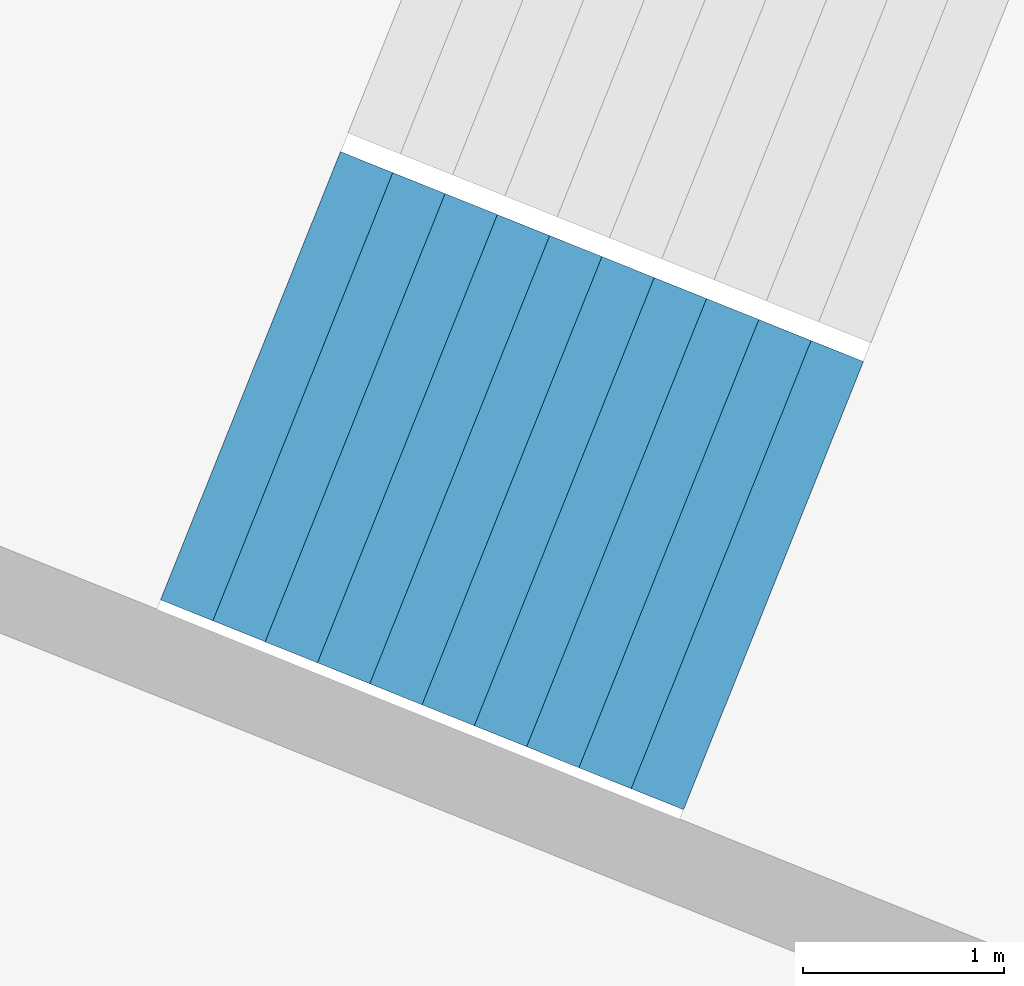
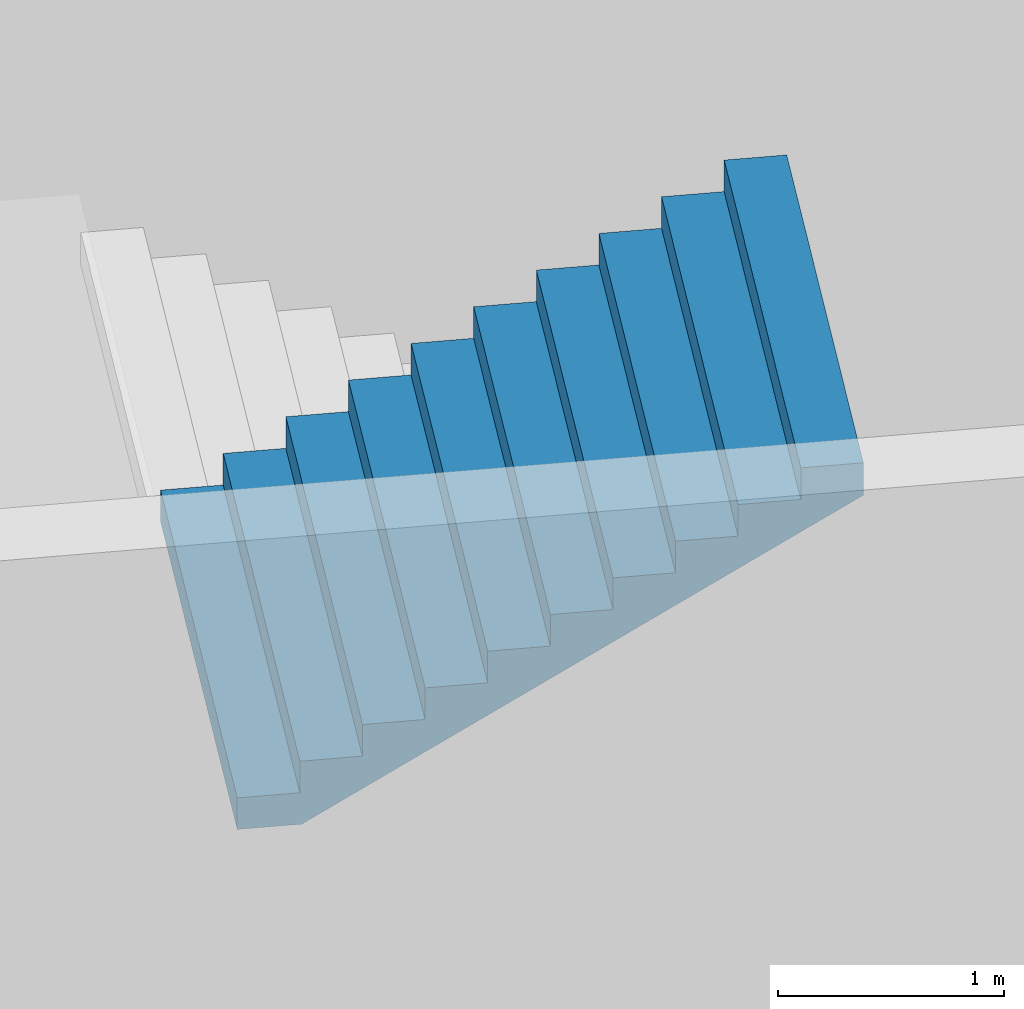
# One storey, part 34 of 73: 1 stair flight, 1 element without a shape of its own.
"""IFC4 building model written with IfcOpenShell, lengths in metres."""

from ifc_helpers import new_model, si_unit, direction, frame, origin, place, context, subcontext, project, spatial, triangles, material, type_object, element, aggregate, save


model = new_model("IFC4")

# Units and contexts
model_context = context("Model", 3, precision=1e-05, world=origin(), true_north=direction((0.0, 1.0)))
body_context = subcontext(model_context, "Body", "Model", "MODEL_VIEW")
ifc_project = project(units=[si_unit("LENGTHUNIT", "METRE"), si_unit("AREAUNIT", "SQUARE_METRE"), si_unit("VOLUMEUNIT", "CUBIC_METRE"), si_unit("PLANEANGLEUNIT", "RADIAN"), si_unit("MASSUNIT", "GRAM", prefix="KILO")], contexts=[model_context])

# Site, building, storey
site_placement = place(None, origin())
site = spatial("IfcSite", under=ifc_project, at=site_placement, CompositionType="ELEMENT")
building_placement = place(site_placement, origin())
building = spatial("IfcBuilding", under=site, at=building_placement, Name="Lantaw Convention Tower", CompositionType="ELEMENT")
storey_placement = place(building_placement, frame((0.0, 0.0, 14.5)))
storey = spatial("IfcBuildingStorey", under=building, at=storey_placement, Name="L02", CompositionType="ELEMENT", Elevation=14.5)

# Stair, stair flight
ifc_material = material(Name="Concrete C35/45", Category="concrete")
stair_type = type_object("IfcStairType", Name="Exit stair 2400 riser 170.45 in 4 flights", PredefinedType="HALF_TURN_STAIR", material=ifc_material)
stair_placement = place(storey_placement, origin())
stair = element("IfcStair", 1, at=stair_placement, inside=storey, type_object=stair_type, Name="Podium exit stair P8 L02", PredefinedType="HALF_TURN_STAIR")
stair_flight_type = type_object("IfcStairFlightType", Name="Stair flight 2400 riser 170.45", PredefinedType="STRAIGHT", material=ifc_material)
stair_flight_placement = place(storey_placement, frame((-39.329345703125, 14.44140625, 5.625), z_axis=(0.0, 0.0, 1.0), x_axis=(0.928015168305, -0.372542410198, 0.0)))
stair_flight = element("IfcStairFlight", 2, at=stair_flight_placement, type_object=stair_flight_type, Name="P8 flight 4", NumberOfRisers=11, NumberOfTreads=10, PredefinedType="STRAIGHT", RiserHeight=0.170454545, TreadLength=0.28, context=body_context, shape_type="Tessellation", body=[
    triangles([(0.0, 1.199951171875, 0.0), (0.0, 1.199951171875, 0.170454545), (0.28, 1.199951171875, 0.0), (0.28, 1.199951171875, 0.170454545), (0.28, 1.199951171875, 0.34090909), (0.28827876332691904, 1.199951171875, 0.0), (0.28827876332691904, 1.199951171875, 0.34090909), (0.56, 1.199951171875, 0.16541471344266906), (0.56, 1.199951171875, 0.34090909), (0.56, 1.199951171875, 0.511363635), (0.8400000000000001, 1.199951171875, 0.335869258442669), (0.8400000000000001, 1.199951171875, 0.511363635), (0.8400000000000001, 1.199951171875, 0.68181818), (1.12, 1.199951171875, 0.506323803442669), (1.12, 1.199951171875, 0.68181818), (1.12, 1.199951171875, 0.8522727250000001), (1.4000000000000001, 1.199951171875, 0.676778348442669), (1.4000000000000001, 1.199951171875, 0.8522727250000001), (1.4000000000000001, 1.199951171875, 1.02272727), (1.6800000000000002, 1.199951171875, 0.847232893442669), (1.6800000000000002, 1.199951171875, 1.02272727), (1.6800000000000002, 1.199951171875, 1.193181815), (1.9600000000000002, 1.199951171875, 1.017687438442669), (1.9600000000000002, 1.199951171875, 1.193181815), (1.9600000000000002, 1.199951171875, 1.36363636), (2.24, 1.199951171875, 1.188141983442669), (2.24, 1.199951171875, 1.36363636), (2.24, 1.199951171875, 1.5340909050000002), (2.5200000000000005, 1.199951171875, 1.358596528442669), (2.5200000000000005, 1.199951171875, 1.5340909050000002), (2.5200000000000005, 1.199951171875, 1.7045454500000001), (2.8000000000000003, 1.199951171875, 1.529051073442669), (2.8000000000000003, 1.199951171875, 1.7045454500000001), (0.0, -1.199951171875, 0.0), (0.0, -1.199951171875, 0.170454545), (0.28, -1.199951171875, 0.0), (0.28, -1.199951171875, 0.170454545), (0.28, -1.199951171875, 0.34090909), (0.28827876332691904, -1.199951171875, 0.0), (0.28827876332691904, -1.199951171875, 0.34090909), (0.56, -1.199951171875, 0.16541471344266906), (0.56, -1.199951171875, 0.34090909), (0.56, -1.199951171875, 0.511363635), (0.8400000000000001, -1.199951171875, 0.335869258442669), (0.8400000000000001, -1.199951171875, 0.511363635), (0.8400000000000001, -1.199951171875, 0.68181818), (1.12, -1.199951171875, 0.506323803442669), (1.12, -1.199951171875, 0.68181818), (1.12, -1.199951171875, 0.8522727250000001), (1.4000000000000001, -1.199951171875, 0.676778348442669), (1.4000000000000001, -1.199951171875, 0.8522727250000001), (1.4000000000000001, -1.199951171875, 1.02272727), (1.6800000000000002, -1.199951171875, 0.847232893442669), (1.6800000000000002, -1.199951171875, 1.02272727), (1.6800000000000002, -1.199951171875, 1.193181815), (1.9600000000000002, -1.199951171875, 1.017687438442669), (1.9600000000000002, -1.199951171875, 1.193181815), (1.9600000000000002, -1.199951171875, 1.36363636), (2.24, -1.199951171875, 1.188141983442669), (2.24, -1.199951171875, 1.36363636), (2.24, -1.199951171875, 1.5340909050000002), (2.5200000000000005, -1.199951171875, 1.358596528442669), (2.5200000000000005, -1.199951171875, 1.5340909050000002), (2.5200000000000005, -1.199951171875, 1.7045454500000001), (2.8000000000000003, -1.199951171875, 1.529051073442669), (2.8000000000000003, -1.199951171875, 1.7045454500000001), (0.0, 0.239990234375, 0.170454545), (0.0, 0.239990234375, 0.0), (0.0, 0.1199951171875, 0.170454545), (0.0, 0.1199951171875, 0.0), (0.0, 0.0, 0.170454545), (0.0, 0.0, 0.0), (0.0, -0.1199951171875, 0.170454545), (0.0, -0.1199951171875, 0.0), (0.0, -0.239990234375, 0.170454545), (0.0, -0.239990234375, 0.0), (0.28, 0.239990234375, 0.34090909), (0.28, 0.239990234375, 0.170454545), (0.28, 0.1199951171875, 0.34090909), (0.28, 0.1199951171875, 0.170454545), (0.28, 0.0, 0.34090909), (0.28, 0.0, 0.170454545), (0.28, -0.1199951171875, 0.34090909), (0.28, -0.1199951171875, 0.170454545), (0.28, -0.239990234375, 0.34090909), (0.28, -0.239990234375, 0.170454545), (0.56, 0.239990234375, 0.511363635), (0.56, 0.239990234375, 0.34090909), (0.56, 0.1199951171875, 0.511363635), (0.56, 0.1199951171875, 0.34090909), (0.56, 0.0, 0.511363635), (0.56, 0.0, 0.34090909), (0.56, -0.1199951171875, 0.511363635), (0.56, -0.1199951171875, 0.34090909), (0.56, -0.239990234375, 0.511363635), (0.56, -0.239990234375, 0.34090909), (0.8400000000000001, 0.239990234375, 0.68181818), (0.8400000000000001, 0.239990234375, 0.511363635), (0.8400000000000001, 0.1199951171875, 0.68181818), (0.8400000000000001, 0.1199951171875, 0.511363635), (0.8400000000000001, 0.0, 0.68181818), (0.8400000000000001, 0.0, 0.511363635), (0.8400000000000001, -0.1199951171875, 0.68181818), (0.8400000000000001, -0.1199951171875, 0.511363635), (0.8400000000000001, -0.239990234375, 0.68181818), (0.8400000000000001, -0.239990234375, 0.511363635), (1.12, 0.239990234375, 0.8522727250000001), (1.12, 0.239990234375, 0.68181818), (1.12, 0.1199951171875, 0.8522727250000001), (1.12, 0.1199951171875, 0.68181818), (1.12, 0.0, 0.8522727250000001), (1.12, 0.0, 0.68181818), (1.12, -0.1199951171875, 0.8522727250000001), (1.12, -0.1199951171875, 0.68181818), (1.12, -0.239990234375, 0.8522727250000001), (1.12, -0.239990234375, 0.68181818), (1.4000000000000001, 0.239990234375, 1.02272727), (1.4000000000000001, 0.239990234375, 0.8522727250000001), (1.4000000000000001, 0.1199951171875, 1.02272727), (1.4000000000000001, 0.1199951171875, 0.8522727250000001), (1.4000000000000001, 0.0, 1.02272727), (1.4000000000000001, 0.0, 0.8522727250000001), (1.4000000000000001, -0.1199951171875, 1.02272727), (1.4000000000000001, -0.1199951171875, 0.8522727250000001), (1.4000000000000001, -0.239990234375, 1.02272727), (1.4000000000000001, -0.239990234375, 0.8522727250000001), (1.6800000000000002, 0.239990234375, 1.193181815), (1.6800000000000002, 0.239990234375, 1.02272727), (1.6800000000000002, 0.1199951171875, 1.193181815), (1.6800000000000002, 0.1199951171875, 1.02272727), (1.6800000000000002, 0.0, 1.193181815), (1.6800000000000002, 0.0, 1.02272727), (1.6800000000000002, -0.1199951171875, 1.193181815), (1.6800000000000002, -0.1199951171875, 1.02272727), (1.6800000000000002, -0.239990234375, 1.193181815), (1.6800000000000002, -0.239990234375, 1.02272727), (1.9600000000000002, 0.239990234375, 1.36363636), (1.9600000000000002, 0.239990234375, 1.193181815), (1.9600000000000002, 0.1199951171875, 1.36363636), (1.9600000000000002, 0.1199951171875, 1.193181815), (1.9600000000000002, 0.0, 1.36363636), (1.9600000000000002, 0.0, 1.193181815), (1.9600000000000002, -0.1199951171875, 1.36363636), (1.9600000000000002, -0.1199951171875, 1.193181815), (1.9600000000000002, -0.239990234375, 1.36363636), (1.9600000000000002, -0.239990234375, 1.193181815), (2.24, 0.239990234375, 1.5340909050000002), (2.24, 0.239990234375, 1.36363636), (2.24, 0.1199951171875, 1.5340909050000002), (2.24, 0.1199951171875, 1.36363636), (2.24, 0.0, 1.5340909050000002), (2.24, 0.0, 1.36363636), (2.24, -0.1199951171875, 1.5340909050000002), (2.24, -0.1199951171875, 1.36363636), (2.24, -0.239990234375, 1.5340909050000002), (2.24, -0.239990234375, 1.36363636), (2.5200000000000005, 0.239990234375, 1.7045454500000001), (2.5200000000000005, 0.239990234375, 1.5340909050000002), (2.5200000000000005, 0.1199951171875, 1.7045454500000001), (2.5200000000000005, 0.1199951171875, 1.5340909050000002), (2.5200000000000005, 0.0, 1.7045454500000001), (2.5200000000000005, 0.0, 1.5340909050000002), (2.5200000000000005, -0.1199951171875, 1.7045454500000001), (2.5200000000000005, -0.1199951171875, 1.5340909050000002), (2.5200000000000005, -0.239990234375, 1.7045454500000001), (2.5200000000000005, -0.239990234375, 1.5340909050000002), (0.28827876332691904, 0.239990234375, 0.34090909), (0.28827876332691904, 0.1199951171875, 0.34090909), (0.28827876332691904, 0.0, 0.34090909), (0.28827876332691904, -0.1199951171875, 0.34090909), (0.28827876332691904, -0.239990234375, 0.34090909), (2.8000000000000003, 0.239990234375, 1.7045454500000001), (2.8000000000000003, 0.1199951171875, 1.7045454500000001), (2.8000000000000003, 0.0, 1.7045454500000001), (2.8000000000000003, -0.1199951171875, 1.7045454500000001), (2.8000000000000003, -0.239990234375, 1.7045454500000001), (2.8000000000000003, 0.239990234375, 1.5290510734426692), (2.8000000000000003, 0.1199951171875, 1.5290510734426692), (2.8000000000000003, 0.0, 1.5290510734426692), (2.8000000000000003, -0.1199951171875, 1.5290510734426692), (2.8000000000000003, -0.239990234375, 1.5290510734426692), (2.5200000000000005, 0.239990234375, 1.358596528442669), (2.5200000000000005, 0.1199951171875, 1.358596528442669), (2.5200000000000005, 0.0, 1.358596528442669), (2.5200000000000005, -0.1199951171875, 1.358596528442669), (2.5200000000000005, -0.239990234375, 1.358596528442669), (2.24, 0.239990234375, 1.188141983442669), (2.24, 0.1199951171875, 1.188141983442669), (2.24, 0.0, 1.188141983442669), (2.24, -0.1199951171875, 1.188141983442669), (2.24, -0.239990234375, 1.188141983442669), (1.9600000000000002, 0.239990234375, 1.017687438442669), (1.9600000000000002, 0.1199951171875, 1.017687438442669), (1.9600000000000002, 0.0, 1.017687438442669), (1.9600000000000002, -0.1199951171875, 1.017687438442669), (1.9600000000000002, -0.239990234375, 1.017687438442669), (1.6800000000000002, 0.239990234375, 0.847232893442669), (1.6800000000000002, 0.1199951171875, 0.847232893442669), (1.6800000000000002, 0.0, 0.847232893442669), (1.6800000000000002, -0.1199951171875, 0.847232893442669), (1.6800000000000002, -0.239990234375, 0.847232893442669), (1.4000000000000001, 0.239990234375, 0.676778348442669), (1.4000000000000001, 0.1199951171875, 0.676778348442669), (1.4000000000000001, 0.0, 0.676778348442669), (1.4000000000000001, -0.1199951171875, 0.676778348442669), (1.4000000000000001, -0.239990234375, 0.676778348442669), (1.12, 0.239990234375, 0.506323803442669), (1.12, 0.1199951171875, 0.506323803442669), (1.12, 0.0, 0.506323803442669), (1.12, -0.1199951171875, 0.506323803442669), (1.12, -0.239990234375, 0.506323803442669), (0.8400000000000001, 0.239990234375, 0.335869258442669), (0.8400000000000001, 0.1199951171875, 0.335869258442669), (0.8400000000000001, 0.0, 0.335869258442669), (0.8400000000000001, -0.1199951171875, 0.335869258442669), (0.8400000000000001, -0.239990234375, 0.335869258442669), (0.56, 0.239990234375, 0.16541471344266906), (0.56, 0.1199951171875, 0.16541471344266906), (0.56, 0.0, 0.16541471344266906), (0.56, -0.1199951171875, 0.16541471344266906), (0.56, -0.239990234375, 0.16541471344266906), (0.28827876332691904, 0.239990234375, 0.0), (0.28827876332691904, 0.1199951171875, 0.0), (0.28827876332691904, 0.0, 0.0), (0.28827876332691904, -0.1199951171875, 0.0), (0.28827876332691904, -0.239990234375, 0.0), (0.28, 0.239990234375, 0.0), (0.28, 0.1199951171875, 0.0), (0.28, 0.0, 0.0), (0.28, -0.1199951171875, 0.0), (0.28, -0.239990234375, 0.0)], [[1, 4, 3], [1, 2, 4], [3, 4, 6], [4, 7, 6], [4, 5, 7], [6, 9, 8], [6, 7, 9], [8, 9, 11], [9, 12, 11], [9, 10, 12], [11, 12, 14], [12, 15, 14], [12, 13, 15], [14, 15, 17], [15, 18, 17], [15, 16, 18], [17, 18, 20], [18, 21, 20], [18, 19, 21], [20, 21, 23], [21, 24, 23], [21, 22, 24], [23, 24, 26], [24, 27, 26], [24, 25, 27], [26, 27, 29], [27, 30, 29], [27, 28, 30], [29, 30, 32], [30, 33, 32], [30, 31, 33], [34, 36, 37], [34, 37, 35], [36, 39, 37], [37, 39, 40], [37, 40, 38], [39, 41, 42], [39, 42, 40], [41, 44, 42], [42, 44, 45], [42, 45, 43], [44, 47, 45], [45, 47, 48], [45, 48, 46], [47, 50, 48], [48, 50, 51], [48, 51, 49], [50, 53, 51], [51, 53, 54], [51, 54, 52], [53, 56, 54], [54, 56, 57], [54, 57, 55], [56, 59, 57], [57, 59, 60], [57, 60, 58], [59, 62, 60], [60, 62, 63], [60, 63, 61], [62, 65, 63], [63, 65, 66], [63, 66, 64], [1, 67, 2], [1, 68, 67], [68, 69, 67], [68, 70, 69], [70, 71, 69], [70, 72, 71], [72, 73, 71], [72, 74, 73], [74, 75, 73], [74, 76, 75], [76, 35, 75], [76, 34, 35], [4, 77, 5], [4, 78, 77], [78, 79, 77], [78, 80, 79], [80, 81, 79], [80, 82, 81], [82, 83, 81], [82, 84, 83], [84, 85, 83], [84, 86, 85], [86, 38, 85], [86, 37, 38], [9, 87, 10], [9, 88, 87], [88, 89, 87], [88, 90, 89], [90, 91, 89], [90, 92, 91], [92, 93, 91], [92, 94, 93], [94, 95, 93], [94, 96, 95], [96, 43, 95], [96, 42, 43], [12, 97, 13], [12, 98, 97], [98, 99, 97], [98, 100, 99], [100, 101, 99], [100, 102, 101], [102, 103, 101], [102, 104, 103], [104, 105, 103], [104, 106, 105], [106, 46, 105], [106, 45, 46], [15, 107, 16], [15, 108, 107], [108, 109, 107], [108, 110, 109], [110, 111, 109], [110, 112, 111], [112, 113, 111], [112, 114, 113], [114, 115, 113], [114, 116, 115], [116, 49, 115], [116, 48, 49], [18, 117, 19], [18, 118, 117], [118, 119, 117], [118, 120, 119], [120, 121, 119], [120, 122, 121], [122, 123, 121], [122, 124, 123], [124, 125, 123], [124, 126, 125], [126, 52, 125], [126, 51, 52], [21, 127, 22], [21, 128, 127], [128, 129, 127], [128, 130, 129], [130, 131, 129], [130, 132, 131], [132, 133, 131], [132, 134, 133], [134, 135, 133], [134, 136, 135], [136, 55, 135], [136, 54, 55], [24, 137, 25], [24, 138, 137], [138, 139, 137], [138, 140, 139], [140, 141, 139], [140, 142, 141], [142, 143, 141], [142, 144, 143], [144, 145, 143], [144, 146, 145], [146, 58, 145], [146, 57, 58], [27, 147, 28], [27, 148, 147], [148, 149, 147], [148, 150, 149], [150, 151, 149], [150, 152, 151], [152, 153, 151], [152, 154, 153], [154, 155, 153], [154, 156, 155], [156, 61, 155], [156, 60, 61], [30, 157, 31], [30, 158, 157], [158, 159, 157], [158, 160, 159], [160, 161, 159], [160, 162, 161], [162, 163, 161], [162, 164, 163], [164, 165, 163], [164, 166, 165], [166, 64, 165], [166, 63, 64], [2, 78, 4], [2, 67, 78], [67, 80, 78], [67, 69, 80], [69, 82, 80], [69, 71, 82], [71, 84, 82], [71, 73, 84], [73, 86, 84], [73, 75, 86], [75, 37, 86], [75, 35, 37], [5, 167, 7], [5, 77, 167], [77, 168, 167], [77, 79, 168], [79, 169, 168], [79, 81, 169], [81, 170, 169], [81, 83, 170], [83, 171, 170], [83, 85, 171], [85, 40, 171], [85, 38, 40], [7, 88, 9], [7, 167, 88], [167, 90, 88], [167, 168, 90], [168, 92, 90], [168, 169, 92], [169, 94, 92], [169, 170, 94], [170, 96, 94], [170, 171, 96], [171, 42, 96], [171, 40, 42], [10, 98, 12], [10, 87, 98], [87, 100, 98], [87, 89, 100], [89, 102, 100], [89, 91, 102], [91, 104, 102], [91, 93, 104], [93, 106, 104], [93, 95, 106], [95, 45, 106], [95, 43, 45], [13, 108, 15], [13, 97, 108], [97, 110, 108], [97, 99, 110], [99, 112, 110], [99, 101, 112], [101, 114, 112], [101, 103, 114], [103, 116, 114], [103, 105, 116], [105, 48, 116], [105, 46, 48], [16, 118, 18], [16, 107, 118], [107, 120, 118], [107, 109, 120], [109, 122, 120], [109, 111, 122], [111, 124, 122], [111, 113, 124], [113, 126, 124], [113, 115, 126], [115, 51, 126], [115, 49, 51], [19, 128, 21], [19, 117, 128], [117, 130, 128], [117, 119, 130], [119, 132, 130], [119, 121, 132], [121, 134, 132], [121, 123, 134], [123, 136, 134], [123, 125, 136], [125, 54, 136], [125, 52, 54], [22, 138, 24], [22, 127, 138], [127, 140, 138], [127, 129, 140], [129, 142, 140], [129, 131, 142], [131, 144, 142], [131, 133, 144], [133, 146, 144], [133, 135, 146], [135, 57, 146], [135, 55, 57], [25, 148, 27], [25, 137, 148], [137, 150, 148], [137, 139, 150], [139, 152, 150], [139, 141, 152], [141, 154, 152], [141, 143, 154], [143, 156, 154], [143, 145, 156], [145, 60, 156], [145, 58, 60], [28, 158, 30], [28, 147, 158], [147, 160, 158], [147, 149, 160], [149, 162, 160], [149, 151, 162], [151, 164, 162], [151, 153, 164], [153, 166, 164], [153, 155, 166], [155, 63, 166], [155, 61, 63], [31, 172, 33], [31, 157, 172], [157, 173, 172], [157, 159, 173], [159, 174, 173], [159, 161, 174], [161, 175, 174], [161, 163, 175], [163, 176, 175], [163, 165, 176], [165, 66, 176], [165, 64, 66], [33, 177, 32], [33, 172, 177], [172, 178, 177], [172, 173, 178], [173, 179, 178], [173, 174, 179], [174, 180, 179], [174, 175, 180], [175, 181, 180], [175, 176, 181], [176, 65, 181], [176, 66, 65], [32, 182, 29], [32, 177, 182], [177, 183, 182], [177, 178, 183], [178, 184, 183], [178, 179, 184], [179, 185, 184], [179, 180, 185], [180, 186, 185], [180, 181, 186], [181, 62, 186], [181, 65, 62], [29, 187, 26], [29, 182, 187], [182, 188, 187], [182, 183, 188], [183, 189, 188], [183, 184, 189], [184, 190, 189], [184, 185, 190], [185, 191, 190], [185, 186, 191], [186, 59, 191], [186, 62, 59], [26, 192, 23], [26, 187, 192], [187, 193, 192], [187, 188, 193], [188, 194, 193], [188, 189, 194], [189, 195, 194], [189, 190, 195], [190, 196, 195], [190, 191, 196], [191, 56, 196], [191, 59, 56], [23, 197, 20], [23, 192, 197], [192, 198, 197], [192, 193, 198], [193, 199, 198], [193, 194, 199], [194, 200, 199], [194, 195, 200], [195, 201, 200], [195, 196, 201], [196, 53, 201], [196, 56, 53], [20, 202, 17], [20, 197, 202], [197, 203, 202], [197, 198, 203], [198, 204, 203], [198, 199, 204], [199, 205, 204], [199, 200, 205], [200, 206, 205], [200, 201, 206], [201, 50, 206], [201, 53, 50], [17, 207, 14], [17, 202, 207], [202, 208, 207], [202, 203, 208], [203, 209, 208], [203, 204, 209], [204, 210, 209], [204, 205, 210], [205, 211, 210], [205, 206, 211], [206, 47, 211], [206, 50, 47], [14, 212, 11], [14, 207, 212], [207, 213, 212], [207, 208, 213], [208, 214, 213], [208, 209, 214], [209, 215, 214], [209, 210, 215], [210, 216, 215], [210, 211, 216], [211, 44, 216], [211, 47, 44], [11, 217, 8], [11, 212, 217], [212, 218, 217], [212, 213, 218], [213, 219, 218], [213, 214, 219], [214, 220, 219], [214, 215, 220], [215, 221, 220], [215, 216, 221], [216, 41, 221], [216, 44, 41], [8, 222, 6], [8, 217, 222], [217, 223, 222], [217, 218, 223], [218, 224, 223], [218, 219, 224], [219, 225, 224], [219, 220, 225], [220, 226, 225], [220, 221, 226], [221, 39, 226], [221, 41, 39], [6, 227, 3], [6, 222, 227], [222, 228, 227], [222, 223, 228], [223, 229, 228], [223, 224, 229], [224, 230, 229], [224, 225, 230], [225, 231, 230], [225, 226, 231], [226, 36, 231], [226, 39, 36], [3, 68, 1], [3, 227, 68], [227, 70, 68], [227, 228, 70], [228, 72, 70], [228, 229, 72], [229, 74, 72], [229, 230, 74], [230, 76, 74], [230, 231, 76], [231, 34, 76], [231, 36, 34]], closed=True),
])
aggregate(stair, [stair_flight])

save(model, "model.ifc")
